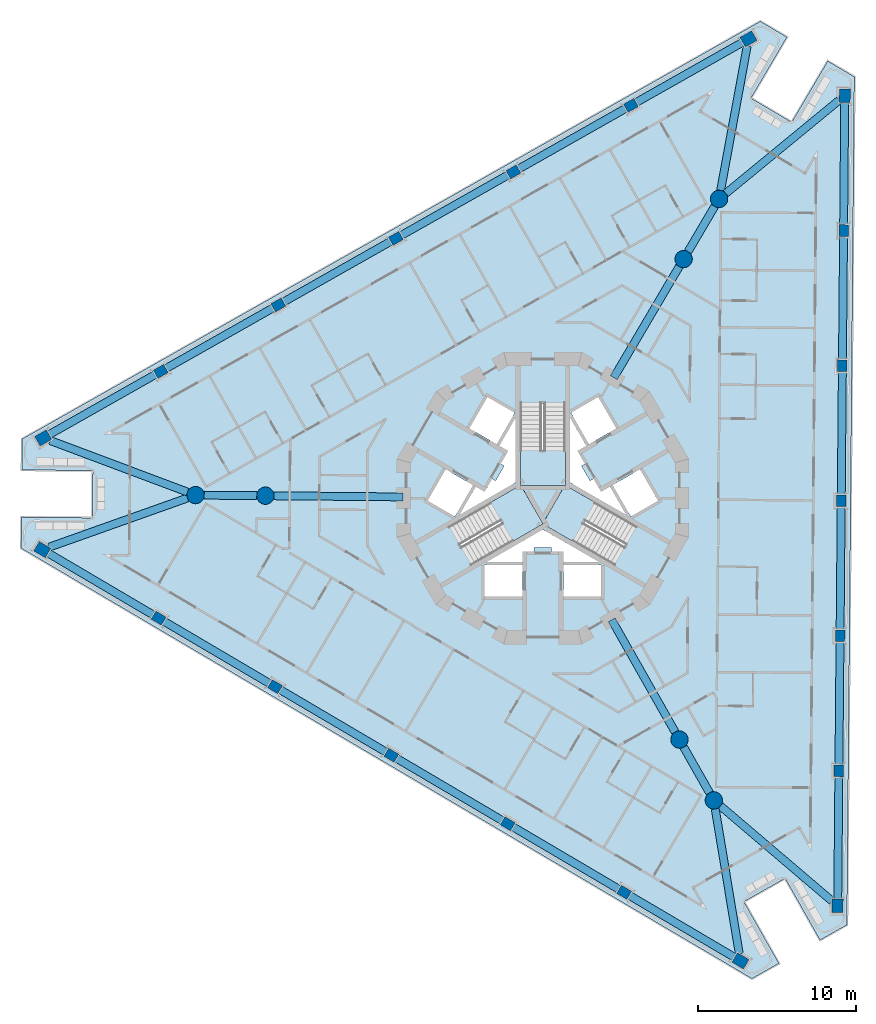
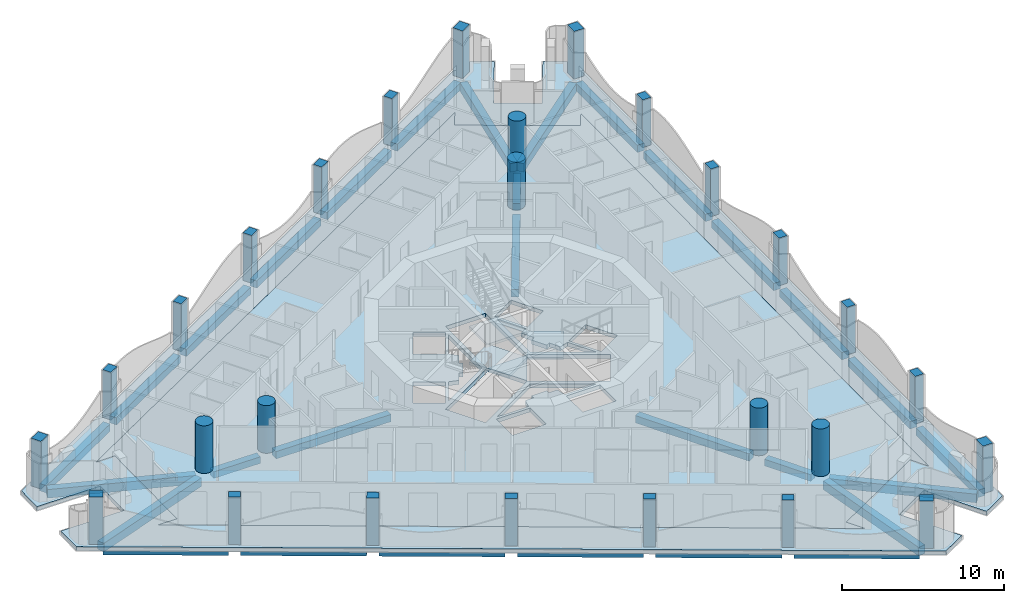
# One storey, part 1 of 18: 30 beams, 27 columns, 6 slabs, 3 elements without a shape of their own.
"""IFC4 building model written with IfcOpenShell, lengths in metres."""

from ifc_helpers import new_model, si_unit, direction, frame, origin, origin_2d, place, context, subcontext, project, spatial, polyline, rectangle, circle, outline, extrude, material, layer, layer_set, material_profile, profile_set, type_object, element, aggregate, save


model = new_model("IFC4")

# Units and contexts
model_context = context("Model", 3, precision=1e-05, world=origin(), true_north=direction((0.0, 1.0)))
body_context = subcontext(model_context, "Body", "Model", "MODEL_VIEW")
ifc_project = project(units=[si_unit("LENGTHUNIT", "METRE"), si_unit("AREAUNIT", "SQUARE_METRE"), si_unit("VOLUMEUNIT", "CUBIC_METRE"), si_unit("PLANEANGLEUNIT", "RADIAN"), si_unit("MASSUNIT", "GRAM", prefix="KILO")], contexts=[model_context])

# Site, building, storey
site_placement = place(None, origin())
site = spatial("IfcSite", under=ifc_project, at=site_placement, CompositionType="ELEMENT")
building_placement = place(site_placement, origin())
building = spatial("IfcBuilding", under=site, at=building_placement, Name="Trine Commons Tower", CompositionType="ELEMENT")
storey_placement = place(building_placement, frame((0.0, 0.0, 175.5)))
storey = spatial("IfcBuildingStorey", under=building, at=storey_placement, Name="L45", CompositionType="ELEMENT", Elevation=175.5)

# Columns
ifc_material_1 = material(Name="Concrete C60/75", Category="concrete")
ifc_material_profile_1 = material_profile(ifc_material_1, rectangle(XDim=0.75, YDim=0.60009765625, at=origin_2d()), Name="RC 750x600")
ifc_profile_set_1 = profile_set([ifc_material_profile_1], Name="Concrete C60/75")
column_type_1 = type_object("IfcColumnType", Name="RC column 750x600, C60/75", PredefinedType="COLUMN", material=ifc_profile_set_1)
for number, where, z_axis, x_axis, name in (
    (1, (85.15771484375, 37.483154296875, 0.0), (0.0, 0.0, 1.0), (-0.861629160442, 0.507538362961, 0.0), "Column PC5-02 L45"),
    (2, (77.773193359375, 41.8330078125, 0.0), (0.0, 0.0, 1.0), (-0.861629160442, 0.507538362961, 0.0), "Column PC5-03 L45"),
    (3, (70.388427734375, 46.182861328125, 0.0), (0.0, 0.0, 1.0), (-0.861629160442, 0.507538362961, 0.0), "Column PC5-04 L45"),
    (4, (63.00390625, 50.53271484375, 0.0), (0.0, 0.0, 1.0), (-0.861629160442, 0.507538362961, 0.0), "Column PC5-05 L45"),
    (5, (55.619140625, 54.8828125, 0.0), (0.0, 0.0, 1.0), (-0.861629160442, 0.507538362961, 0.0), "Column PC5-06 L45"),
    (6, (55.755859375, 70.541748046875, 0.0), (0.0, 0.0, 1.0), (0.87035569594, 0.492423560103, 0.0), "Column PC5-09 L45"),
    (7, (63.215087890625, 74.761962890625, 0.0), (0.0, 0.0, 1.0), (0.87035569594, 0.492423560103, 0.0), "Column PC5-10 L45"),
    (8, (70.6748046875, 78.982421875, 0.0), (0.0, 0.0, 1.0), (0.87035569594, 0.492423560103, 0.0), "Column PC5-11 L45"),
    (9, (78.13427734375, 83.202880859375, 0.0), (0.0, 0.0, 1.0), (0.87035569594, 0.492423560103, 0.0), "Column PC5-12 L45"),
    (10, (85.59375, 87.423095703125, 0.0), (0.0, 0.0, 1.0), (0.87035569594, 0.492423560103, 0.0), "Column PC5-13 L45"),
    (11, (99.08642578125, 79.475341796875, 0.0), (0.0, 0.0, 1.0), (0.008726535498, 0.999961923064, 0.0), "Column PC5-16 L45"),
    (12, (99.01171875, 70.905029296875, 0.0), (0.0, 0.0, 1.0), (0.008726535498, 0.999961923064, 0.0), "Column PC5-17 L45"),
    (13, (98.936767578125, 62.334716796875, 0.0), (0.0, 0.0, 1.0), (0.008726535498, 0.999961923064, 0.0), "Column PC5-18 L45"),
    (14, (98.862060546875, 53.764404296875, 0.0), (0.0, 0.0, 1.0), (0.008726535498, 0.999961923064, 0.0), "Column PC5-19 L45"),
    (15, (98.787109375, 45.194091796875, 0.0), (0.0, 0.0, 1.0), (0.008726535498, 0.999961923064, 0.0), "Column PC5-20 L45"),
):
    element("IfcColumn", number, at=place(storey_placement, frame(where, z_axis=z_axis, x_axis=x_axis)), inside=storey, type_object=column_type_1, Name=name, PredefinedType="COLUMN", context=body_context, shape_type="SweptSolid", body=[
        extrude(rectangle(XDim=0.75, YDim=0.60009765625, at=origin_2d()), origin(), (0.0, 0.0, 1.0), 3.60009765625),
    ])
ifc_material_profile_2 = material_profile(ifc_material_1, rectangle(XDim=0.85009765625, YDim=0.699951171875, at=origin_2d()), Name="RC 850x700")
ifc_profile_set_2 = profile_set([ifc_material_profile_2], Name="Concrete C60/75")
column_type_2 = type_object("IfcColumnType", Name="RC column 850x700, C60/75", PredefinedType="COLUMN", material=ifc_profile_set_2)
for number, where, z_axis, x_axis, name in (
    (16, (92.54248046875, 33.133056640625, 0.0), (0.0, 0.0, 1.0), (-0.861629160442, 0.507538362961, 0.0), "Column PC5-01 L45"),
    (17, (48.234375, 59.232666015625, 0.0), (0.0, 0.0, 1.0), (-0.861629160442, 0.507538362961, 0.0), "Column PC5-07 L45"),
    (18, (48.29638671875, 66.3212890625, 0.0), (0.0, 0.0, 1.0), (0.87035569594, 0.492423560103, 0.0), "Column PC5-08 L45"),
    (19, (93.052978515625, 91.6435546875, 0.0), (0.0, 0.0, 1.0), (0.87035569594, 0.492423560103, 0.0), "Column PC5-14 L45"),
    (20, (99.1611328125, 88.045654296875, 0.0), (0.0, 0.0, 1.0), (0.008726535498, 0.999961923064, 0.0), "Column PC5-15 L45"),
    (21, (98.71240234375, 36.623779296875, 0.0), (0.0, 0.0, 1.0), (0.008726535498, 0.999961923064, 0.0), "Column PC5-21 L45"),
):
    element("IfcColumn", number, at=place(storey_placement, frame(where, z_axis=z_axis, x_axis=x_axis)), inside=storey, type_object=column_type_2, Name=name, PredefinedType="COLUMN", context=body_context, shape_type="SweptSolid", body=[
        extrude(rectangle(XDim=0.85009765625, YDim=0.699951171875, at=origin_2d()), origin(), (0.0, 0.0, 1.0), 3.60009765625),
    ])
ifc_material_profile_3 = material_profile(ifc_material_1, circle(Radius=0.550048828125, at=origin_2d()), Name="RC round 1100")
ifc_profile_set_3 = profile_set([ifc_material_profile_3], Name="Concrete C60/75")
column_type_3 = type_object("IfcColumnType", Name="RC round column 1100 mm, C60/75", PredefinedType="COLUMN", material=ifc_profile_set_3)
for number, where, z_axis, x_axis, name in (
    (22, (88.66943359375, 47.177001953125, 0.0), (0.0, 0.0, 1.0), (1.0, 0.0, 0.0), "Column WC5-1 L45"),
    (23, (90.85205078125, 43.319091796875, 0.0), (0.0, 0.0, 1.0), (1.0, 0.0, 0.0), "Column WC5-2 L45"),
    (24, (88.935546875, 77.66943359375, 0.0), (0.0, 0.0, 1.0), (1.0, 0.0, 0.0), "Column WC5-3 L45"),
    (25, (91.185302734375, 81.488525390625, 0.0), (0.0, 0.0, 1.0), (1.0, 0.0, 0.0), "Column WC5-4 L45"),
    (26, (62.39501953125, 62.653564453125, 0.0), (0.0, 0.0, 1.0), (1.0, 0.0, 0.0), "Column WC5-5 L45"),
    (27, (57.962890625, 62.6923828125, 0.0), (0.0, 0.0, 1.0), (1.0, 0.0, 0.0), "Column WC5-6 L45"),
):
    element("IfcColumn", number, at=place(storey_placement, frame(where, z_axis=z_axis, x_axis=x_axis)), inside=storey, type_object=column_type_3, Name=name, PredefinedType="COLUMN", context=body_context, shape_type="SweptSolid", body=[
        extrude(circle(Radius=0.550048828125, at=origin_2d()), origin(), (0.0, 0.0, 1.0), 3.60009765625),
    ])

# Beams
ifc_material_2 = material(Name="Concrete C40/50", Category="concrete")
ifc_material_profile_4 = material_profile(ifc_material_2, rectangle(XDim=0.5, YDim=0.5, at=origin_2d()), Name="RC 500x500")
ifc_profile_set_4 = profile_set([ifc_material_profile_4], Name="Concrete C40/50")
beam_type_1 = type_object("IfcBeamType", Name="RC beam 500x500, C40/50", PredefinedType="BEAM", material=ifc_profile_set_4)
beam_1_placement = place(storey_placement, frame((88.93994140625, 46.698486328125, -0.550048828125), z_axis=(0.492474717644, -0.870326750411, 0.0), x_axis=(0.870326750411, 0.492474717644, 0.0)))
element("IfcBeam", 28, at=beam_1_placement, inside=storey, type_object=beam_type_1, Name="Beam RB5-02 L45", PredefinedType="BEAM", context=body_context, shape_type="SweptSolid", body=[
    extrude(rectangle(XDim=0.5, YDim=0.5, at=origin_2d()), origin(), (0.0, 0.0, 1.0), 3.333251953125),
])
beam_2_placement = place(storey_placement, frame((89.21435546875, 78.142578125, -0.550048828125), z_axis=(0.507522450497, 0.861638533401, 0.0), x_axis=(-0.861638533401, 0.507522450497, 0.0)))
element("IfcBeam", 29, at=beam_2_placement, inside=storey, type_object=beam_type_1, Name="Beam RB5-04 L45", PredefinedType="BEAM", context=body_context, shape_type="SweptSolid", body=[
    extrude(rectangle(XDim=0.5, YDim=0.5, at=origin_2d()), origin(), (0.0, 0.0, 1.0), 3.334228515625),
])
beam_3_placement = place(storey_placement, frame((61.84521484375, 62.658447265625, -0.550048828125), z_axis=(-0.999962000851, 0.008717617443, 0.0), x_axis=(-0.008717617443, -0.999962000851, 0.0)))
element("IfcBeam", 30, at=beam_3_placement, inside=storey, type_object=beam_type_1, Name="Beam RB5-06 L45", PredefinedType="BEAM", context=body_context, shape_type="SweptSolid", body=[
    extrude(rectangle(XDim=0.5, YDim=0.5, at=origin_2d()), origin(), (0.0, 0.0, 1.0), 3.332763671875),
])
ifc_material_profile_5 = material_profile(ifc_material_2, rectangle(XDim=0.5, YDim=0.550048828125, at=origin_2d()), Name="RC 500x550")
ifc_profile_set_5 = profile_set([ifc_material_profile_5], Name="Concrete C40/50")
beam_type_2 = type_object("IfcBeamType", Name="RC beam 500x550, C40/50", PredefinedType="BEAM", material=ifc_profile_set_5)
beam_4_placement = place(storey_placement, frame((92.17626953125, 33.348876953125, -0.574951171875), z_axis=(-0.861628755535, 0.507539050354, 0.0), x_axis=(-0.507539050354, -0.861628755535, 0.0)))
element("IfcBeam", 31, at=beam_4_placement, inside=storey, type_object=beam_type_2, Name="Beam EB5-01 L45", PredefinedType="BEAM", context=body_context, shape_type="SweptSolid", body=[
    extrude(rectangle(XDim=0.5, YDim=0.550048828125, at=origin_2d()), origin(), (0.0, 0.0, 1.0), 7.7705078125),
])
beam_5_placement = place(storey_placement, frame((84.834716796875, 37.67333984375, -0.574951171875), z_axis=(-0.861632320767, 0.507532997755, 0.0), x_axis=(-0.507532997755, -0.861632320767, 0.0)))
element("IfcBeam", 32, at=beam_5_placement, inside=storey, type_object=beam_type_2, Name="Beam EB5-02 L45", PredefinedType="BEAM", context=body_context, shape_type="SweptSolid", body=[
    extrude(rectangle(XDim=0.5, YDim=0.550048828125, at=origin_2d()), origin(), (0.0, 0.0, 1.0), 7.820556640625),
])
beam_6_placement = place(storey_placement, frame((77.4501953125, 42.023193359375, -0.574951171875), z_axis=(-0.861618669075, 0.507556173345, 0.0), x_axis=(-0.507556173345, -0.861618669075, 0.0)))
element("IfcBeam", 33, at=beam_6_placement, inside=storey, type_object=beam_type_2, Name="Beam EB5-03 L45", PredefinedType="BEAM", context=body_context, shape_type="SweptSolid", body=[
    extrude(rectangle(XDim=0.5, YDim=0.550048828125, at=origin_2d()), origin(), (0.0, 0.0, 1.0), 7.82080078125),
])
for number, where, z_axis, x_axis, name in (
    (34, (70.0654296875, 46.373291015625, -0.574951171875), (-0.861632320767, 0.507532997755, 0.0), (-0.507532997755, -0.861632320767, 0.0), "Beam EB5-04 L45"),
    (35, (62.6806640625, 50.72314453125, -0.574951171875), (-0.861632320767, 0.507532997755, 0.0), (-0.507532997755, -0.861632320767, 0.0), "Beam EB5-05 L45"),
):
    element("IfcBeam", number, at=place(storey_placement, frame(where, z_axis=z_axis, x_axis=x_axis)), inside=storey, type_object=beam_type_2, Name=name, PredefinedType="BEAM", context=body_context, shape_type="SweptSolid", body=[
        extrude(rectangle(XDim=0.5, YDim=0.550048828125, at=origin_2d()), origin(), (0.0, 0.0, 1.0), 7.820556640625),
    ])
for number, where, z_axis, x_axis, name in (
    (36, (55.2958984375, 55.072998046875, -0.574951171875), (-0.861628755535, 0.507539050354, 0.0), (-0.507539050354, -0.861628755535, 0.0), "Beam EB5-06 L45"),
    (37, (48.666259765625, 66.530517578125, -0.574951171875), (0.870356200913, 0.492422667566, 0.0), (-0.492422667566, 0.870356200913, 0.0), "Beam EB5-07 L45"),
):
    element("IfcBeam", number, at=place(storey_placement, frame(where, z_axis=z_axis, x_axis=x_axis)), inside=storey, type_object=beam_type_2, Name=name, PredefinedType="BEAM", context=body_context, shape_type="SweptSolid", body=[
        extrude(rectangle(XDim=0.5, YDim=0.550048828125, at=origin_2d()), origin(), (0.0, 0.0, 1.0), 7.7705078125),
    ])
for number, where, z_axis, x_axis, name in (
    (38, (56.082275390625, 70.726318359375, -0.574951171875), (0.87035228491, 0.49242958903, 0.0), (-0.49242958903, 0.87035228491, 0.0), "Beam EB5-08 L45"),
    (39, (63.54150390625, 74.94677734375, -0.574951171875), (0.870373233333, 0.492392561578, 0.0), (-0.492392561578, 0.870373233333, 0.0), "Beam EB5-09 L45"),
    (40, (71.001220703125, 79.1669921875, -0.574951171875), (0.87035228491, 0.49242958903, 0.0), (-0.49242958903, 0.87035228491, 0.0), "Beam EB5-10 L45"),
    (41, (78.460693359375, 83.387451171875, -0.574951171875), (0.870365664344, 0.492405940592, 0.0), (-0.492405940592, 0.870365664344, 0.0), "Beam EB5-11 L45"),
):
    element("IfcBeam", number, at=place(storey_placement, frame(where, z_axis=z_axis, x_axis=x_axis)), inside=storey, type_object=beam_type_2, Name=name, PredefinedType="BEAM", context=body_context, shape_type="SweptSolid", body=[
        extrude(rectangle(XDim=0.5, YDim=0.550048828125, at=origin_2d()), origin(), (0.0, 0.0, 1.0), 7.820556640625),
    ])
beam_7_placement = place(storey_placement, frame((85.920166015625, 87.60791015625, -0.574951171875), z_axis=(0.870362048186, 0.492412332377, 0.0), x_axis=(-0.492412332377, 0.870362048186, 0.0)))
element("IfcBeam", 42, at=beam_7_placement, inside=storey, type_object=beam_type_2, Name="Beam EB5-12 L45", PredefinedType="BEAM", context=body_context, shape_type="SweptSolid", body=[
    extrude(rectangle(XDim=0.5, YDim=0.550048828125, at=origin_2d()), origin(), (0.0, 0.0, 1.0), 7.770263671875),
])
beam_8_placement = place(storey_placement, frame((99.157470703125, 87.62060546875, -0.574951171875), z_axis=(-0.008734388901, -0.999961854498, 0.0), x_axis=(0.999961854498, -0.008734388901, 0.0)))
element("IfcBeam", 43, at=beam_8_placement, inside=storey, type_object=beam_type_2, Name="Beam EB5-13 L45", PredefinedType="BEAM", context=body_context, shape_type="SweptSolid", body=[
    extrude(rectangle(XDim=0.5, YDim=0.550048828125, at=origin_2d()), origin(), (0.0, 0.0, 1.0), 7.7705078125),
])
for number, where, z_axis, x_axis, name in (
    (44, (99.0830078125, 79.100341796875, -0.574951171875), (-0.008709709586, -0.99996206976, 0.0), (0.99996206976, -0.008709709586, 0.0), "Beam EB5-14 L45"),
    (45, (99.00830078125, 70.530029296875, -0.574951171875), (-0.008709709586, -0.99996206976, 0.0), (0.99996206976, -0.008709709586, 0.0), "Beam EB5-15 L45"),
    (46, (98.93359375, 61.959716796875, -0.574951171875), (-0.008740924802, -0.999961797387, 0.0), (0.999961797387, -0.008740924802, 0.0), "Beam EB5-16 L45"),
    (47, (98.858642578125, 53.389404296875, -0.574951171875), (-0.008709709586, -0.99996206976, 0.0), (0.99996206976, -0.008709709586, 0.0), "Beam EB5-17 L45"),
):
    element("IfcBeam", number, at=place(storey_placement, frame(where, z_axis=z_axis, x_axis=x_axis)), inside=storey, type_object=beam_type_2, Name=name, PredefinedType="BEAM", context=body_context, shape_type="SweptSolid", body=[
        extrude(rectangle(XDim=0.5, YDim=0.550048828125, at=origin_2d()), origin(), (0.0, 0.0, 1.0), 7.820556640625),
    ])
beam_9_placement = place(storey_placement, frame((98.783935546875, 44.819091796875, -0.574951171875), z_axis=(-0.008734388901, -0.999961854498, 0.0), x_axis=(0.999961854498, -0.008734388901, 0.0)))
element("IfcBeam", 48, at=beam_9_placement, inside=storey, type_object=beam_type_2, Name="Beam EB5-18 L45", PredefinedType="BEAM", context=body_context, shape_type="SweptSolid", body=[
    extrude(rectangle(XDim=0.5, YDim=0.550048828125, at=origin_2d()), origin(), (0.0, 0.0, 1.0), 7.7705078125),
])
beam_10_placement = place(storey_placement, frame((84.369384765625, 54.777099609375, -0.574951171875), z_axis=(0.492419995537, -0.870357712665, 0.0), x_axis=(0.870357712665, 0.492419995537, 0.0)))
element("IfcBeam", 49, at=beam_10_placement, inside=storey, type_object=beam_type_2, Name="Beam RB5-01 L45", PredefinedType="BEAM", context=body_context, shape_type="SweptSolid", body=[
    extrude(rectangle(XDim=0.5, YDim=0.550048828125, at=origin_2d()), origin(), (0.0, 0.0, 1.0), 8.1826171875),
])
beam_11_placement = place(storey_placement, frame((84.50341796875, 70.1455078125, -0.574951171875), z_axis=(0.507559825452, 0.861616517708, 0.0), x_axis=(-0.861616517708, 0.507559825452, 0.0)))
element("IfcBeam", 50, at=beam_11_placement, inside=storey, type_object=beam_type_2, Name="Beam RB5-03 L45", PredefinedType="BEAM", context=body_context, shape_type="SweptSolid", body=[
    extrude(rectangle(XDim=0.5, YDim=0.550048828125, at=origin_2d()), origin(), (0.0, 0.0, 1.0), 8.182861328125),
])
beam_12_placement = place(storey_placement, frame((71.127197265625, 62.577392578125, -0.574951171875), z_axis=(-0.999962048186, 0.008712186128, 0.0), x_axis=(-0.008712186128, -0.999962048186, 0.0)))
element("IfcBeam", 51, at=beam_12_placement, inside=storey, type_object=beam_type_2, Name="Beam RB5-05 L45", PredefinedType="BEAM", context=body_context, shape_type="SweptSolid", body=[
    extrude(rectangle(XDim=0.5, YDim=0.550048828125, at=origin_2d()), origin(), (0.0, 0.0, 1.0), 8.1826171875),
])
ifc_material_profile_6 = material_profile(ifc_material_2, rectangle(XDim=0.5, YDim=0.64990234375, at=origin_2d()), Name="RC 500x650")
ifc_profile_set_6 = profile_set([ifc_material_profile_6], Name="Concrete C40/50")
beam_type_3 = type_object("IfcBeamType", Name="RC beam 500x650, C40/50", PredefinedType="BEAM", material=ifc_profile_set_6)
beam_13_placement = place(storey_placement, frame((48.664306640625, 59.385498046875, -0.625), z_axis=(0.94219208675, 0.335073233287, 0.0), x_axis=(-0.335073233287, 0.94219208675, 0.0)))
element("IfcBeam", 52, at=beam_13_placement, inside=storey, type_object=beam_type_3, Name="Beam CB5-01 L45", PredefinedType="BEAM", context=body_context, shape_type="SweptSolid", body=[
    extrude(rectangle(XDim=0.5, YDim=0.64990234375, at=origin_2d()), origin(), (0.0, 0.0, 1.0), 9.31982421875),
])
beam_14_placement = place(storey_placement, frame((48.7236328125, 66.160888671875, -0.625), z_axis=(0.936203156272, -0.351459315123, 0.0), x_axis=(0.351459315123, 0.936203156272, 0.0)))
element("IfcBeam", 53, at=beam_14_placement, inside=storey, type_object=beam_type_3, Name="Beam CB5-02 L45", PredefinedType="BEAM", context=body_context, shape_type="SweptSolid", body=[
    extrude(rectangle(XDim=0.5, YDim=0.64990234375, at=origin_2d()), origin(), (0.0, 0.0, 1.0), 9.3193359375),
])
beam_15_placement = place(storey_placement, frame((92.970458984375, 91.194580078125, -0.625), z_axis=(-0.180897704794, -0.983501916826, 0.0), x_axis=(0.983501916826, -0.180897704794, 0.0)))
element("IfcBeam", 54, at=beam_15_placement, inside=storey, type_object=beam_type_3, Name="Beam CB5-03 L45", PredefinedType="BEAM", context=body_context, shape_type="SweptSolid", body=[
    extrude(rectangle(XDim=0.5, YDim=0.64990234375, at=origin_2d()), origin(), (0.0, 0.0, 1.0), 9.319091796875),
])
beam_16_placement = place(storey_placement, frame((98.80859375, 87.755859375, -0.625), z_axis=(-0.772466897343, -0.635055031087, 0.0), x_axis=(0.635055031087, -0.772466897343, 0.0)))
element("IfcBeam", 55, at=beam_16_placement, inside=storey, type_object=beam_type_3, Name="Beam CB5-04 L45", PredefinedType="BEAM", context=body_context, shape_type="SweptSolid", body=[
    extrude(rectangle(XDim=0.5, YDim=0.64990234375, at=origin_2d()), origin(), (0.0, 0.0, 1.0), 9.31884765625),
])
beam_17_placement = place(storey_placement, frame((98.364990234375, 36.919921875, -0.625), z_axis=(-0.761281547068, 0.648421472573, 0.0), x_axis=(-0.648421472573, -0.761281547068, 0.0)))
element("IfcBeam", 56, at=beam_17_placement, inside=storey, type_object=beam_type_3, Name="Beam CB5-05 L45", PredefinedType="BEAM", context=body_context, shape_type="SweptSolid", body=[
    extrude(rectangle(XDim=0.5, YDim=0.64990234375, at=origin_2d()), origin(), (0.0, 0.0, 1.0), 9.319091796875),
])
beam_18_placement = place(storey_placement, frame((92.4677734375, 33.583251953125, -0.625), z_axis=(-0.163727753956, 0.986505561355, 0.0), x_axis=(-0.986505561355, -0.163727753956, 0.0)))
element("IfcBeam", 57, at=beam_18_placement, inside=storey, type_object=beam_type_3, Name="Beam CB5-06 L45", PredefinedType="BEAM", context=body_context, shape_type="SweptSolid", body=[
    extrude(rectangle(XDim=0.5, YDim=0.64990234375, at=origin_2d()), origin(), (0.0, 0.0, 1.0), 9.319580078125),
])

# Slabs
ifc_layer_1 = layer(ifc_material_2, 0.300048828125)
ifc_layer_set_1 = layer_set([ifc_layer_1], Name="Concrete C40/50")
slab_type_1 = type_object("IfcSlabType", Name="Loggia slab 300 mm, C40/50", PredefinedType="FLOOR", material=ifc_layer_set_1)
slab_1_placement = place(storey_placement, frame((0.0, 0.0, -0.300048828125)))
element("IfcSlab", 58, at=slab_1_placement, inside=storey, type_object=slab_type_1, Name="Loggia slab L45", PredefinedType="FLOOR", context=body_context, shape_type="SweptSolid", body=[
    extrude(outline(polyline([(99.302001953125, 35.418701171875), (99.771484375, 89.240234375), (98.079345703125, 90.237060546875), (95.79541015625, 86.35986328125), (93.21044921875, 87.88232421875), (95.494384765625, 91.759765625), (93.802001953125, 92.756591796875), (46.956298828125, 66.252685546875), (46.939208984375, 64.28857421875), (51.439208984375, 64.249267578125), (51.412841796875, 61.24951171875), (46.9130859375, 61.288818359375), (46.89599609375, 59.32470703125), (93.27197265625, 32.007080078125), (94.9814453125, 32.974365234375), (92.765380859375, 36.890869140625), (95.376708984375, 38.3681640625), (97.592529296875, 34.45166015625), (99.302001953125, 35.418701171875)]), holes=[polyline([(90.156982421875, 36.627197265625), (89.494873046875, 37.7978515625), (96.28369140625, 41.638916015625), (96.94580078125, 40.46826171875), (97.327880859375, 84.232666015625), (96.645263671875, 83.07373046875), (89.924560546875, 87.03271484375), (90.607177734375, 88.19140625), (52.514892578125, 66.639892578125), (53.860107421875, 66.62841796875), (53.7919921875, 58.82861328125), (52.447021484375, 58.84033203125), (90.156982421875, 36.627197265625)])]), origin(), (0.0, 0.0, 1.0), 0.300048828125),
])
ifc_layer_2 = layer(ifc_material_2, 0.300048828125)
ifc_layer_set_2 = layer_set([ifc_layer_2], Name="Concrete C40/50")
slab_type_2 = type_object("IfcSlabType", Name="PT flat slab 300 mm, C40/50", PredefinedType="FLOOR", material=ifc_layer_set_2)
slab_2_placement = place(storey_placement, frame((0.0, 0.0, -0.300048828125)))
element("IfcSlab", 59, at=slab_2_placement, inside=storey, type_object=slab_type_2, Name="Floor slab L45", PredefinedType="FLOOR", context=body_context, shape_type="SweptSolid", body=[
    extrude(outline(polyline([(52.447021484375, 58.84033203125), (90.156982421875, 36.627197265625), (89.494873046875, 37.7978515625), (96.28369140625, 41.638916015625), (96.94580078125, 40.46826171875), (97.327880859375, 84.232666015625), (96.645263671875, 83.07373046875), (89.924560546875, 87.03271484375), (90.607177734375, 88.19140625), (52.514892578125, 66.639892578125), (53.860107421875, 66.62841796875), (53.7919921875, 58.82861328125), (52.447021484375, 58.84033203125)]), holes=[polyline([(78.699951171875, 56.25), (78.699951171875, 58.25), (76.300048828125, 58.25), (76.300048828125, 56.25), (78.699951171875, 56.25)]), polyline([(80.0, 60.8544921875), (84.4755859375, 58.2705078125), (85.900390625, 60.73876953125), (81.425048828125, 63.32275390625), (81.425048828125, 68.490478515625), (78.574951171875, 68.490478515625), (78.574951171875, 63.32275390625), (74.099609375, 60.73876953125), (75.5244140625, 58.2705078125), (80.0, 60.8544921875)]), polyline([(73.83740234375, 64.325927734375), (72.687255859375, 62.333984375), (74.41943359375, 61.333984375), (75.5693359375, 63.325927734375), (73.83740234375, 64.325927734375)]), polyline([(76.381103515625, 63.031005859375), (75.742919921875, 63.22607421875), (74.7099609375, 61.43798828125), (78.27490234375, 63.49609375), (78.27490234375, 67.612060546875), (77.242919921875, 65.823974609375), (77.73095703125, 65.368896484375), (77.3310546875, 64.676025390625), (77.555908203125, 64.5458984375), (77.006103515625, 63.593994140625), (76.781005859375, 63.722900390625), (76.381103515625, 63.031005859375)]), polyline([(76.4873046875, 68.916015625), (75.33740234375, 66.924072265625), (77.0693359375, 65.924072265625), (78.219482421875, 67.916015625), (76.4873046875, 68.916015625)]), polyline([(83.699951171875, 56.25), (83.699951171875, 58.25), (81.300048828125, 58.25), (81.300048828125, 56.25), (83.699951171875, 56.25)]), polyline([(81.14990234375, 59.10009765625), (81.300048828125, 58.449951171875), (83.56494140625, 58.449951171875), (80.0, 60.508056640625), (76.43505859375, 58.449951171875), (78.699951171875, 58.449951171875), (78.85009765625, 59.10009765625), (79.449951171875, 59.10009765625), (79.449951171875, 59.360107421875), (80.550048828125, 59.360107421875), (80.550048828125, 59.10009765625), (81.14990234375, 59.10009765625)]), polyline([(86.16259765625, 64.325927734375), (84.4306640625, 63.325927734375), (85.58056640625, 61.333984375), (87.312744140625, 62.333984375), (86.16259765625, 64.325927734375)]), polyline([(83.243896484375, 63.738037109375), (82.993896484375, 63.593994140625), (82.444091796875, 64.5458984375), (82.72705078125, 64.7099609375), (82.281005859375, 65.549072265625), (82.757080078125, 65.823974609375), (81.72509765625, 67.612060546875), (81.72509765625, 63.49609375), (85.2900390625, 61.43798828125), (84.257080078125, 63.22607421875), (83.618896484375, 63.031005859375), (83.243896484375, 63.738037109375)]), polyline([(84.66259765625, 66.924072265625), (83.5126953125, 68.916015625), (81.780517578125, 67.916015625), (82.9306640625, 65.924072265625), (84.66259765625, 66.924072265625)])]), origin(), (0.0, 0.0, 1.0), 0.300048828125),
])
slab_3_placement = place(storey_placement, frame((0.0, 0.0, -0.300048828125)))
element("IfcSlab", 60, at=slab_3_placement, inside=storey, type_object=slab_type_2, Name="Floor slab L45 2", PredefinedType="FLOOR", context=body_context, shape_type="SweptSolid", body=[
    extrude(outline(polyline([(78.61328125, 63.300537109375), (80.0, 60.89892578125), (81.38671875, 63.300537109375), (78.61328125, 63.300537109375)])), origin(), (0.0, 0.0, 1.0), 0.300048828125),
])

# Stair, slab
ifc_material_3 = material(Name="Concrete C50/60", Category="concrete")
stair_type = type_object("IfcStairType", Name="Exit stair, dog-leg, 24 risers of 150 mm", PredefinedType="HALF_TURN_STAIR", material=ifc_material_3)
stair_1_placement = place(storey_placement, origin())
stair_1 = element("IfcStair", 61, at=stair_1_placement, inside=storey, type_object=stair_type, Name="L45 Exit stair ST1B", PredefinedType="HALF_TURN_STAIR")
ifc_layer_3 = layer(ifc_material_3, 0.199951171875)
ifc_layer_set_3 = layer_set([ifc_layer_3], Name="Concrete C50/60")
slab_type_3 = type_object("IfcSlabType", Name="Stair landing slab 200 mm, C50/60", PredefinedType="LANDING", material=ifc_layer_set_3)
slab_4_placement = place(storey_placement, frame((0.0, 0.0, 1.60009765625)))
slab_4 = element("IfcSlab", 62, at=slab_4_placement, type_object=slab_type_3, Name="ST1B landing 1", PredefinedType="LANDING", context=body_context, shape_type="SweptSolid", body=[
    extrude(outline(polyline([(78.574951171875, 65.570556640625), (78.574951171875, 63.300537109375), (81.425048828125, 63.300537109375), (81.425048828125, 65.570556640625), (78.574951171875, 65.570556640625)])), origin(), (0.0, 0.0, 1.0), 0.199951171875),
])
aggregate(stair_1, [slab_4])

stair_2_placement = place(storey_placement, origin())
stair_2 = element("IfcStair", 63, at=stair_2_placement, inside=storey, type_object=stair_type, Name="L45 Exit stair ST2B", PredefinedType="HALF_TURN_STAIR")
slab_5_placement = place(storey_placement, frame((0.0, 0.0, 1.60009765625)))
slab_5 = element("IfcSlab", 64, at=slab_5_placement, type_object=slab_type_3, Name="ST2B landing 1", PredefinedType="LANDING", context=body_context, shape_type="SweptSolid", body=[
    extrude(outline(polyline([(78.05322265625, 59.730712890625), (80.019287109375, 60.86572265625), (78.59423828125, 63.333740234375), (76.628173828125, 62.19873046875), (78.05322265625, 59.730712890625)])), origin(), (0.0, 0.0, 1.0), 0.199951171875),
])
aggregate(stair_2, [slab_5])

stair_3_placement = place(storey_placement, origin())
stair_3 = element("IfcStair", 65, at=stair_3_placement, inside=storey, type_object=stair_type, Name="L45 Exit stair ST3B", PredefinedType="HALF_TURN_STAIR")
slab_6_placement = place(storey_placement, frame((0.0, 0.0, 1.60009765625)))
slab_6 = element("IfcSlab", 66, at=slab_6_placement, type_object=slab_type_3, Name="ST3B landing 1", PredefinedType="LANDING", context=body_context, shape_type="SweptSolid", body=[
    extrude(outline(polyline([(83.371826171875, 62.19873046875), (81.40576171875, 63.333740234375), (79.980712890625, 60.86572265625), (81.94677734375, 59.730712890625), (83.371826171875, 62.19873046875)])), origin(), (0.0, 0.0, 1.0), 0.199951171875),
])
aggregate(stair_3, [slab_6])

save(model, "model.ifc")
